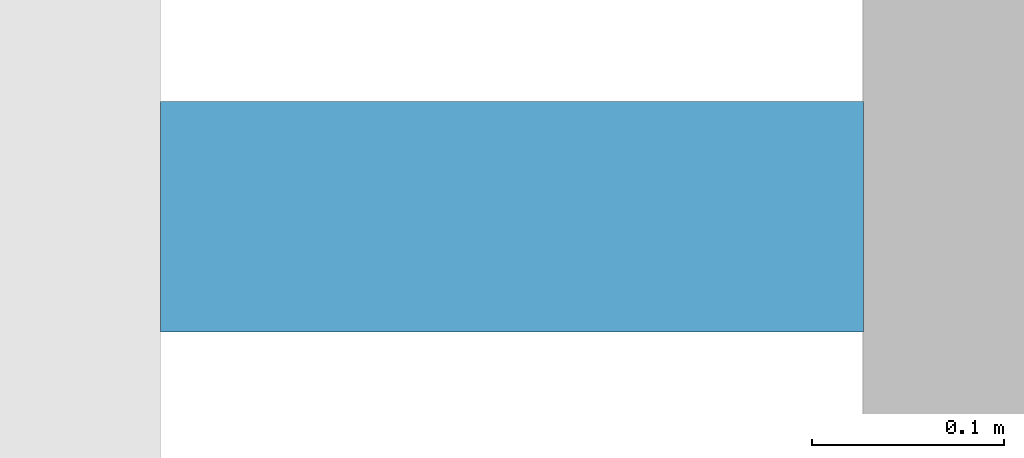
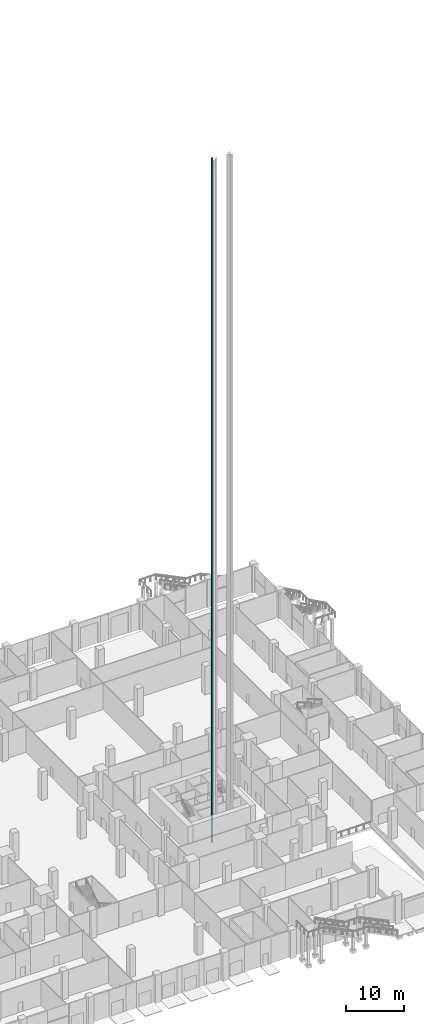
# One storey, part 53 of 68: 1 discrete accessory.
"""IFC4 building model written with IfcOpenShell, lengths in metres."""

from ifc_helpers import new_model, si_unit, direction, frame, origin, origin_2d, place, context, subcontext, project, spatial, rectangle, extrude, element, save


model = new_model("IFC4")

# Units and contexts
model_context = context("Model", 3, precision=1e-05, world=origin(), true_north=direction((0.0, 1.0)))
body_context = subcontext(model_context, "Body", "Model", "MODEL_VIEW")
ifc_project = project(units=[si_unit("LENGTHUNIT", "METRE"), si_unit("AREAUNIT", "SQUARE_METRE"), si_unit("VOLUMEUNIT", "CUBIC_METRE"), si_unit("PLANEANGLEUNIT", "RADIAN"), si_unit("MASSUNIT", "GRAM", prefix="KILO")], contexts=[model_context])

# Site, building, storey
site_placement = place(None, origin())
site = spatial("IfcSite", under=ifc_project, at=site_placement, CompositionType="ELEMENT")
building_placement = place(site_placement, origin())
building = spatial("IfcBuilding", under=site, at=building_placement, Name="Altepetl Exchange Towers", CompositionType="ELEMENT")
storey_placement = place(building_placement, origin())
storey = spatial("IfcBuildingStorey", under=building, at=storey_placement, Name="L00 Ground concourse", CompositionType="ELEMENT", Elevation=0.0)

# Discrete accessory
discrete_accessory_placement = place(storey_placement, frame((109.85009765625, 38.699951171875, -1.60009765625)))
element("IfcDiscreteAccessory", 1, at=discrete_accessory_placement, inside=storey, Name="Guide rail P1", ObjectType="GUIDE RAIL", PredefinedType="USERDEFINED", context=body_context, shape_type="SweptSolid", body=[
    extrude(rectangle(XDim=0.36669921875, YDim=0.1201171875, at=origin_2d()), origin(), (0.0, 0.0, 1.0), 144.85009765625),
])

save(model, "model.ifc")
